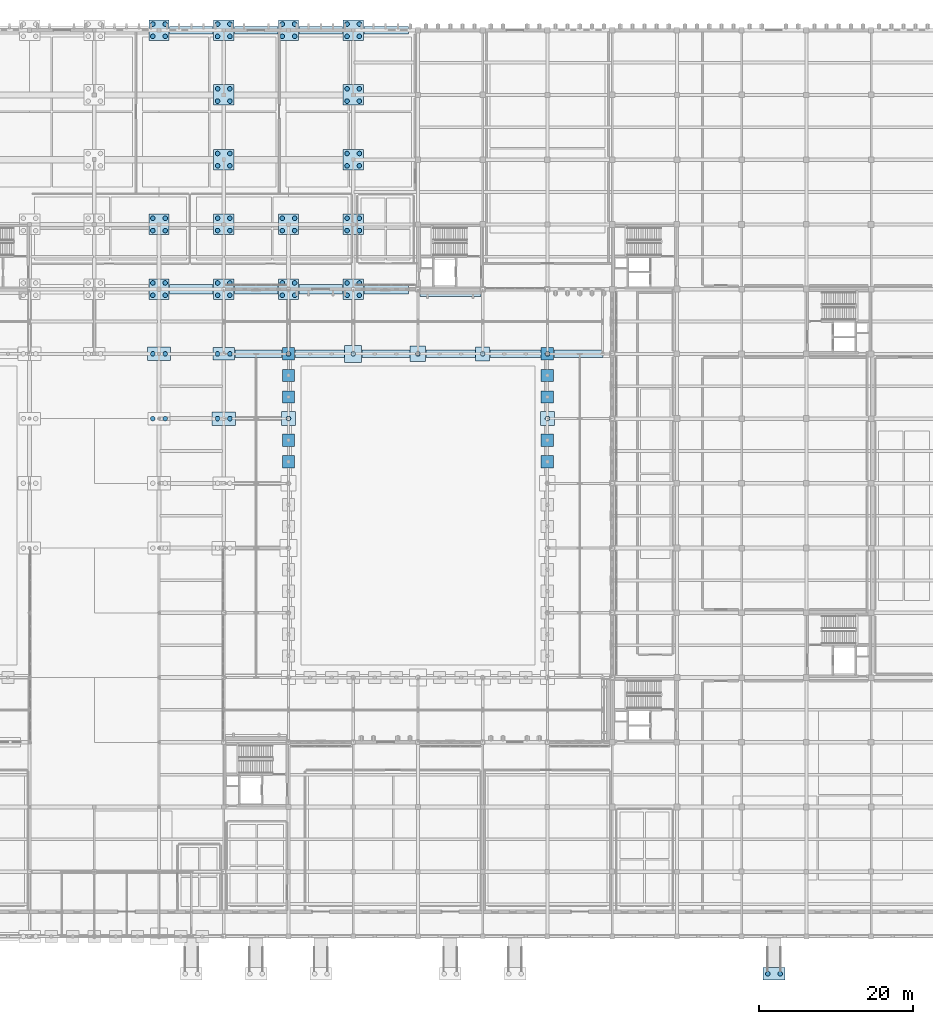
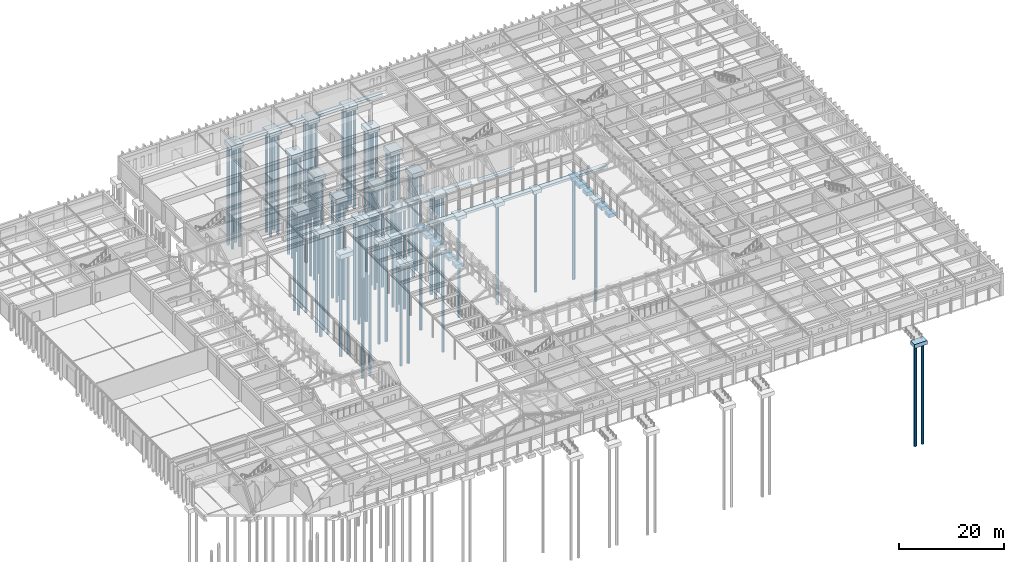
# One storey, part 3 of 143: 81 piles, 50 footings.
"""IFC4 building model written with IfcOpenShell, lengths in metres."""

from ifc_helpers import new_model, si_unit, direction, frame, origin, origin_2d, place, context, subcontext, project, spatial, polyline, rectangle, circle, outline, extrude, material, material_profile, profile_set, type_object, element, save


model = new_model("IFC4")

# Units and contexts
model_context = context("Model", 3, precision=1e-05, world=origin(), true_north=direction((0.0, 1.0)))
body_context = subcontext(model_context, "Body", "Model", "MODEL_VIEW")
ifc_project = project(units=[si_unit("LENGTHUNIT", "METRE"), si_unit("AREAUNIT", "SQUARE_METRE"), si_unit("VOLUMEUNIT", "CUBIC_METRE"), si_unit("PLANEANGLEUNIT", "RADIAN"), si_unit("MASSUNIT", "GRAM", prefix="KILO")], contexts=[model_context])

# Site, building, storey
site_placement = place(None, origin())
site = spatial("IfcSite", under=ifc_project, at=site_placement, CompositionType="ELEMENT")
building_placement = place(site_placement, origin())
building = spatial("IfcBuilding", under=site, at=building_placement, Name="Kveldsbrygga Polytechnic", CompositionType="ELEMENT")
storey_placement = place(building_placement, origin())
storey = spatial("IfcBuildingStorey", under=building, at=storey_placement, Name="L00", CompositionType="ELEMENT", Elevation=0.0)

# Footings
ifc_material_1 = material(Name="Concrete C45/55", Category="concrete")
footing_type_1 = type_object("IfcFootingType", Name="PC-2P-LIGHT", PredefinedType="PILE_CAP", material=ifc_material_1)
footing_1_placement = place(storey_placement, frame((75.60009765625, 75.60009765625, -1.320068359375), z_axis=(0.0, 0.0, 1.0), x_axis=(1.0, 0.0, 0.0)))
element("IfcFooting", 1, at=footing_1_placement, inside=storey, type_object=footing_type_1, Name="Foundation FND-09-09", PredefinedType="PILE_CAP", context=body_context, shape_type="SweptSolid", body=[
    extrude(rectangle(XDim=2.800048828125, YDim=1.60009765625, at=origin_2d()), origin(), (0.0, 0.0, 1.0), 1.0),
])
footing_2_placement = place(storey_placement, frame((147.0, -4.85009765625, -1.179931640625), z_axis=(0.0, 0.0, 1.0), x_axis=(1.0, 0.0, 0.0)))
element("IfcFooting", 2, at=footing_2_placement, inside=storey, type_object=footing_type_1, Name="Ramp Pile Cap RMP-06-FND-BOT", PredefinedType="PILE_CAP", context=body_context, shape_type="SweptSolid", body=[
    extrude(rectangle(XDim=2.800048828125, YDim=1.60009765625, at=origin_2d()), origin(), (0.0, 0.0, 1.0), 0.89990234375),
])
footing_type_2 = type_object("IfcFootingType", Name="PC-2P-MED", PredefinedType="PILE_CAP", material=ifc_material_1)
for number, where, z_axis, x_axis, name in (
    (3, (67.199951171875, 75.60009765625, -1.3701171875), (0.0, 0.0, 1.0), (1.0, 0.0, 0.0), "Foundation FND-08-09"),
    (4, (75.60009765625, 67.199951171875, -1.3701171875), (0.0, 0.0, 1.0), (1.0, 0.0, 0.0), "Foundation FND-09-08"),
):
    element("IfcFooting", number, at=place(storey_placement, frame(where, z_axis=z_axis, x_axis=x_axis)), inside=storey, type_object=footing_type_2, Name=name, PredefinedType="PILE_CAP", context=body_context, shape_type="SweptSolid", body=[
        extrude(rectangle(XDim=3.0, YDim=1.75, at=origin_2d()), origin(), (0.0, 0.0, 1.0), 1.050048828125),
    ])
footing_type_3 = type_object("IfcFootingType", Name="PC-4P-CMP", PredefinedType="PILE_CAP", material=ifc_material_1)
for number, where, z_axis, x_axis, name in (
    (5, (67.199951171875, 84.0, -1.3701171875), (0.0, 0.0, 1.0), (1.0, 0.0, 0.0), "Foundation FND-08-10"),
    (6, (67.199951171875, 92.39990234375, -1.3701171875), (0.0, 0.0, 1.0), (1.0, 0.0, 0.0), "Foundation FND-08-11"),
    (7, (67.199951171875, 117.60009765625, -1.3701171875), (0.0, 0.0, 1.0), (1.0, 0.0, 0.0), "Foundation FND-08-14"),
    (8, (75.60009765625, 84.0, -1.3701171875), (0.0, 0.0, 1.0), (1.0, 0.0, 0.0), "Foundation FND-09-10"),
    (9, (75.60009765625, 92.39990234375, -1.3701171875), (0.0, 0.0, 1.0), (1.0, 0.0, 0.0), "Foundation FND-09-11"),
    (10, (75.60009765625, 100.800048828125, -1.3701171875), (0.0, 0.0, 1.0), (1.0, 0.0, 0.0), "Foundation FND-09-12"),
    (11, (75.60009765625, 109.199951171875, -1.3701171875), (0.0, 0.0, 1.0), (1.0, 0.0, 0.0), "Foundation FND-09-13"),
    (12, (75.60009765625, 117.60009765625, -1.3701171875), (0.0, 0.0, 1.0), (1.0, 0.0, 0.0), "Foundation FND-09-14"),
    (13, (84.0, 84.0, -1.3701171875), (0.0, 0.0, 1.0), (1.0, 0.0, 0.0), "Foundation FND-10-10"),
    (14, (84.0, 92.39990234375, -1.3701171875), (0.0, 0.0, 1.0), (1.0, 0.0, 0.0), "Foundation FND-10-11"),
    (15, (84.0, 117.60009765625, -1.3701171875), (0.0, 0.0, 1.0), (1.0, 0.0, 0.0), "Foundation FND-10-14"),
    (16, (92.39990234375, 84.0, -1.3701171875), (0.0, 0.0, 1.0), (1.0, 0.0, 0.0), "Foundation FND-11-10"),
    (17, (92.39990234375, 92.39990234375, -1.3701171875), (0.0, 0.0, 1.0), (1.0, 0.0, 0.0), "Foundation FND-11-11"),
    (18, (92.39990234375, 100.800048828125, -1.3701171875), (0.0, 0.0, 1.0), (1.0, 0.0, 0.0), "Foundation FND-11-12"),
    (19, (92.39990234375, 109.199951171875, -1.3701171875), (0.0, 0.0, 1.0), (1.0, 0.0, 0.0), "Foundation FND-11-13"),
    (20, (92.39990234375, 117.60009765625, -1.3701171875), (0.0, 0.0, 1.0), (1.0, 0.0, 0.0), "Foundation FND-11-14"),
):
    element("IfcFooting", number, at=place(storey_placement, frame(where, z_axis=z_axis, x_axis=x_axis)), inside=storey, type_object=footing_type_3, Name=name, PredefinedType="PILE_CAP", context=body_context, shape_type="SweptSolid", body=[
        extrude(rectangle(XDim=2.64990234375, YDim=2.64990234375, at=origin_2d()), origin(), (0.0, 0.0, 1.0), 1.050048828125),
    ])
ifc_material_2 = material(Name="Concrete C35/45", Category="concrete")
footing_type_4 = type_object("IfcFootingType", Name="PF-ARCADE-A", PredefinedType="PAD_FOOTING", material=ifc_material_2)
footing_3_placement = place(storey_placement, frame((92.39990234375, 75.60009765625, -1.1201171875), z_axis=(0.0, 0.0, 1.0), x_axis=(1.0, 0.0, 0.0)))
element("IfcFooting", 21, at=footing_3_placement, inside=storey, type_object=footing_type_4, Name="Foundation FND-11-09", PredefinedType="PAD_FOOTING", context=body_context, shape_type="SweptSolid", body=[
    extrude(rectangle(XDim=2.199951171875, YDim=2.199951171875, at=origin_2d()), origin(), (0.0, 0.0, 1.0), 0.800048828125),
])
footing_type_5 = type_object("IfcFootingType", Name="PF-ARCADE-B", PredefinedType="PAD_FOOTING", material=ifc_material_2)
for number, where, z_axis, x_axis, name in (
    (22, (84.0, 67.199951171875, -1.170166015625), (0.0, 0.0, 1.0), (1.0, 0.0, 0.0), "Foundation FND-10-08"),
    (23, (109.199951171875, 75.60009765625, -1.170166015625), (0.0, 0.0, 1.0), (1.0, 0.0, 0.0), "Foundation FND-13-09"),
    (24, (117.60009765625, 67.199951171875, -1.170166015625), (0.0, 0.0, 1.0), (1.0, 0.0, 0.0), "Foundation FND-14-08"),
):
    element("IfcFooting", number, at=place(storey_placement, frame(where, z_axis=z_axis, x_axis=x_axis)), inside=storey, type_object=footing_type_5, Name=name, PredefinedType="PAD_FOOTING", context=body_context, shape_type="SweptSolid", body=[
        extrude(rectangle(XDim=1.800048828125, YDim=1.800048828125, at=origin_2d()), origin(), (0.0, 0.0, 1.0), 0.85009765625),
    ])
footing_type_6 = type_object("IfcFootingType", Name="PF-ARCADE-C", PredefinedType="PAD_FOOTING", material=ifc_material_2)
footing_4_placement = place(storey_placement, frame((100.800048828125, 75.60009765625, -1.219970703125), z_axis=(0.0, 0.0, 1.0), x_axis=(1.0, 0.0, 0.0)))
element("IfcFooting", 25, at=footing_4_placement, inside=storey, type_object=footing_type_6, Name="Foundation FND-12-09", PredefinedType="PAD_FOOTING", context=body_context, shape_type="SweptSolid", body=[
    extrude(rectangle(XDim=2.0, YDim=2.0, at=origin_2d()), origin(), (0.0, 0.0, 1.0), 0.89990234375),
])
footing_type_7 = type_object("IfcFootingType", Name="PF-ARCADE-D", PredefinedType="PAD_FOOTING", material=ifc_material_2)
for number, where, z_axis, x_axis, name in (
    (26, (84.0, 75.60009765625, -1.14013671875), (0.0, 0.0, 1.0), (1.0, 0.0, 0.0), "Foundation FND-10-09"),
    (27, (117.60009765625, 75.60009765625, -1.14013671875), (0.0, 0.0, 1.0), (1.0, 0.0, 0.0), "Foundation FND-14-09"),
    (28, (84.0, 61.60009765625, -1.14013671875), (0.0, 0.0, 1.0), (1.0, 0.0, 0.0), "Arcade Pier Footing FND-ARC-083"),
    (29, (84.0, 64.39990234375, -1.14013671875), (0.0, 0.0, 1.0), (1.0, 0.0, 0.0), "Arcade Pier Footing FND-ARC-084"),
    (30, (117.60009765625, 61.60009765625, -1.14013671875), (0.0, 0.0, 1.0), (1.0, 0.0, 0.0), "Arcade Pier Footing FND-ARC-085"),
    (31, (117.60009765625, 64.39990234375, -1.14013671875), (0.0, 0.0, 1.0), (1.0, 0.0, 0.0), "Arcade Pier Footing FND-ARC-086"),
    (32, (84.0, 70.0, -1.14013671875), (0.0, 0.0, 1.0), (1.0, 0.0, 0.0), "Arcade Pier Footing FND-ARC-087"),
    (33, (84.0, 72.800048828125, -1.14013671875), (0.0, 0.0, 1.0), (1.0, 0.0, 0.0), "Arcade Pier Footing FND-ARC-088"),
    (34, (117.60009765625, 70.0, -1.14013671875), (0.0, 0.0, 1.0), (1.0, 0.0, 0.0), "Arcade Pier Footing FND-ARC-089"),
    (35, (117.60009765625, 72.800048828125, -1.14013671875), (0.0, 0.0, 1.0), (1.0, 0.0, 0.0), "Arcade Pier Footing FND-ARC-090"),
):
    element("IfcFooting", number, at=place(storey_placement, frame(where, z_axis=z_axis, x_axis=x_axis)), inside=storey, type_object=footing_type_7, Name=name, PredefinedType="PAD_FOOTING", context=body_context, shape_type="SweptSolid", body=[
        extrude(rectangle(XDim=1.60009765625, YDim=1.60009765625, at=origin_2d()), origin(), (0.0, 0.0, 1.0), 0.820068359375),
    ])

# Piles
ifc_material_profile = material_profile(ifc_material_1, circle(Radius=0.300048828125, at=origin_2d()), Name="PILE D600")
ifc_profile_set = profile_set([ifc_material_profile], Name="Concrete C45/55")
pile_type = type_object("IfcPileType", Name="PILE-D600", PredefinedType="BORED", material=ifc_profile_set)
for number, where, z_axis, x_axis, name in (
    (36, (66.39990234375, 67.199951171875, -1.169921875), (0.0, 0.0, -1.0), (1.0, 0.0, 0.0), "Bored Pile PIL-08-08-1"),
    (37, (68.0, 67.199951171875, -1.169921875), (0.0, 0.0, -1.0), (1.0, 0.0, 0.0), "Bored Pile PIL-08-08-2"),
):
    element("IfcPile", number, at=place(storey_placement, frame(where, z_axis=z_axis, x_axis=x_axis)), inside=storey, type_object=pile_type, Name=name, PredefinedType="BORED", context=body_context, shape_type="SweptSolid", body=[
        extrude(circle(Radius=0.300048828125, at=origin_2d()), origin(), (0.0, 0.0, 1.0), 23.330078125),
    ])
for number, where, z_axis, x_axis, name in (
    (38, (66.39990234375, 75.60009765625, -1.219970703125), (0.0, 0.0, -1.0), (1.0, 0.0, 0.0), "Bored Pile PIL-08-09-1"),
    (39, (68.0, 75.60009765625, -1.219970703125), (0.0, 0.0, -1.0), (1.0, 0.0, 0.0), "Bored Pile PIL-08-09-2"),
    (40, (66.39990234375, 83.199951171875, -1.219970703125), (0.0, 0.0, -1.0), (1.0, 0.0, 0.0), "Bored Pile PIL-08-10-1"),
    (41, (68.0, 83.199951171875, -1.219970703125), (0.0, 0.0, -1.0), (1.0, 0.0, 0.0), "Bored Pile PIL-08-10-2"),
    (42, (66.39990234375, 84.800048828125, -1.219970703125), (0.0, 0.0, -1.0), (1.0, 0.0, 0.0), "Bored Pile PIL-08-10-3"),
    (43, (68.0, 84.800048828125, -1.219970703125), (0.0, 0.0, -1.0), (1.0, 0.0, 0.0), "Bored Pile PIL-08-10-4"),
    (44, (66.39990234375, 91.60009765625, -1.219970703125), (0.0, 0.0, -1.0), (1.0, 0.0, 0.0), "Bored Pile PIL-08-11-1"),
    (45, (68.0, 91.60009765625, -1.219970703125), (0.0, 0.0, -1.0), (1.0, 0.0, 0.0), "Bored Pile PIL-08-11-2"),
    (46, (66.39990234375, 93.199951171875, -1.219970703125), (0.0, 0.0, -1.0), (1.0, 0.0, 0.0), "Bored Pile PIL-08-11-3"),
    (47, (68.0, 93.199951171875, -1.219970703125), (0.0, 0.0, -1.0), (1.0, 0.0, 0.0), "Bored Pile PIL-08-11-4"),
    (48, (66.39990234375, 116.800048828125, -1.219970703125), (0.0, 0.0, -1.0), (1.0, 0.0, 0.0), "Bored Pile PIL-08-14-1"),
    (49, (68.0, 116.800048828125, -1.219970703125), (0.0, 0.0, -1.0), (1.0, 0.0, 0.0), "Bored Pile PIL-08-14-2"),
    (50, (66.39990234375, 118.39990234375, -1.219970703125), (0.0, 0.0, -1.0), (1.0, 0.0, 0.0), "Bored Pile PIL-08-14-3"),
    (51, (68.0, 118.39990234375, -1.219970703125), (0.0, 0.0, -1.0), (1.0, 0.0, 0.0), "Bored Pile PIL-08-14-4"),
    (52, (74.800048828125, 67.199951171875, -1.219970703125), (0.0, 0.0, -1.0), (1.0, 0.0, 0.0), "Bored Pile PIL-09-08-1"),
    (53, (76.39990234375, 67.199951171875, -1.219970703125), (0.0, 0.0, -1.0), (1.0, 0.0, 0.0), "Bored Pile PIL-09-08-2"),
):
    element("IfcPile", number, at=place(storey_placement, frame(where, z_axis=z_axis, x_axis=x_axis)), inside=storey, type_object=pile_type, Name=name, PredefinedType="BORED", context=body_context, shape_type="SweptSolid", body=[
        extrude(circle(Radius=0.300048828125, at=origin_2d()), origin(), (0.0, 0.0, 1.0), 23.280029296875),
    ])
for number, where, z_axis, x_axis, name in (
    (54, (74.800048828125, 75.60009765625, -1.169921875), (0.0, 0.0, -1.0), (1.0, 0.0, 0.0), "Bored Pile PIL-09-09-1"),
    (55, (76.39990234375, 75.60009765625, -1.169921875), (0.0, 0.0, -1.0), (1.0, 0.0, 0.0), "Bored Pile PIL-09-09-2"),
):
    element("IfcPile", number, at=place(storey_placement, frame(where, z_axis=z_axis, x_axis=x_axis)), inside=storey, type_object=pile_type, Name=name, PredefinedType="BORED", context=body_context, shape_type="SweptSolid", body=[
        extrude(circle(Radius=0.300048828125, at=origin_2d()), origin(), (0.0, 0.0, 1.0), 23.330078125),
    ])
for number, where, z_axis, x_axis, name in (
    (56, (74.800048828125, 83.199951171875, -1.219970703125), (0.0, 0.0, -1.0), (1.0, 0.0, 0.0), "Bored Pile PIL-09-10-1"),
    (57, (76.39990234375, 83.199951171875, -1.219970703125), (0.0, 0.0, -1.0), (1.0, 0.0, 0.0), "Bored Pile PIL-09-10-2"),
    (58, (74.800048828125, 84.800048828125, -1.219970703125), (0.0, 0.0, -1.0), (1.0, 0.0, 0.0), "Bored Pile PIL-09-10-3"),
    (59, (76.39990234375, 84.800048828125, -1.219970703125), (0.0, 0.0, -1.0), (1.0, 0.0, 0.0), "Bored Pile PIL-09-10-4"),
    (60, (74.800048828125, 91.60009765625, -1.219970703125), (0.0, 0.0, -1.0), (1.0, 0.0, 0.0), "Bored Pile PIL-09-11-1"),
    (61, (76.39990234375, 91.60009765625, -1.219970703125), (0.0, 0.0, -1.0), (1.0, 0.0, 0.0), "Bored Pile PIL-09-11-2"),
    (62, (74.800048828125, 93.199951171875, -1.219970703125), (0.0, 0.0, -1.0), (1.0, 0.0, 0.0), "Bored Pile PIL-09-11-3"),
    (63, (76.39990234375, 93.199951171875, -1.219970703125), (0.0, 0.0, -1.0), (1.0, 0.0, 0.0), "Bored Pile PIL-09-11-4"),
    (64, (74.800048828125, 100.0, -1.219970703125), (0.0, 0.0, -1.0), (1.0, 0.0, 0.0), "Bored Pile PIL-09-12-1"),
    (65, (76.39990234375, 100.0, -1.219970703125), (0.0, 0.0, -1.0), (1.0, 0.0, 0.0), "Bored Pile PIL-09-12-2"),
    (66, (74.800048828125, 101.60009765625, -1.219970703125), (0.0, 0.0, -1.0), (1.0, 0.0, 0.0), "Bored Pile PIL-09-12-3"),
    (67, (76.39990234375, 101.60009765625, -1.219970703125), (0.0, 0.0, -1.0), (1.0, 0.0, 0.0), "Bored Pile PIL-09-12-4"),
    (68, (74.800048828125, 108.39990234375, -1.219970703125), (0.0, 0.0, -1.0), (1.0, 0.0, 0.0), "Bored Pile PIL-09-13-1"),
    (69, (76.39990234375, 108.39990234375, -1.219970703125), (0.0, 0.0, -1.0), (1.0, 0.0, 0.0), "Bored Pile PIL-09-13-2"),
    (70, (74.800048828125, 110.0, -1.219970703125), (0.0, 0.0, -1.0), (1.0, 0.0, 0.0), "Bored Pile PIL-09-13-3"),
    (71, (76.39990234375, 110.0, -1.219970703125), (0.0, 0.0, -1.0), (1.0, 0.0, 0.0), "Bored Pile PIL-09-13-4"),
    (72, (74.800048828125, 116.800048828125, -1.219970703125), (0.0, 0.0, -1.0), (1.0, 0.0, 0.0), "Bored Pile PIL-09-14-1"),
    (73, (76.39990234375, 116.800048828125, -1.219970703125), (0.0, 0.0, -1.0), (1.0, 0.0, 0.0), "Bored Pile PIL-09-14-2"),
    (74, (74.800048828125, 118.39990234375, -1.219970703125), (0.0, 0.0, -1.0), (1.0, 0.0, 0.0), "Bored Pile PIL-09-14-3"),
    (75, (76.39990234375, 118.39990234375, -1.219970703125), (0.0, 0.0, -1.0), (1.0, 0.0, 0.0), "Bored Pile PIL-09-14-4"),
):
    element("IfcPile", number, at=place(storey_placement, frame(where, z_axis=z_axis, x_axis=x_axis)), inside=storey, type_object=pile_type, Name=name, PredefinedType="BORED", context=body_context, shape_type="SweptSolid", body=[
        extrude(circle(Radius=0.300048828125, at=origin_2d()), origin(), (0.0, 0.0, 1.0), 23.280029296875),
    ])
pile_1_placement = place(storey_placement, frame((84.0, 67.199951171875, -1.02001953125), z_axis=(0.0, 0.0, -1.0), x_axis=(1.0, 0.0, 0.0)))
element("IfcPile", 76, at=pile_1_placement, inside=storey, type_object=pile_type, Name="Bored Pile PIL-10-08-1", PredefinedType="BORED", context=body_context, shape_type="SweptSolid", body=[
    extrude(circle(Radius=0.300048828125, at=origin_2d()), origin(), (0.0, 0.0, 1.0), 23.47998046875),
])
pile_2_placement = place(storey_placement, frame((84.0, 75.60009765625, -0.989990234375), z_axis=(0.0, 0.0, -1.0), x_axis=(1.0, 0.0, 0.0)))
element("IfcPile", 77, at=pile_2_placement, inside=storey, type_object=pile_type, Name="Bored Pile PIL-10-09-1", PredefinedType="BORED", context=body_context, shape_type="SweptSolid", body=[
    extrude(circle(Radius=0.300048828125, at=origin_2d()), origin(), (0.0, 0.0, 1.0), 23.510009765625),
])
for number, where, z_axis, x_axis, name in (
    (78, (83.199951171875, 83.199951171875, -1.219970703125), (0.0, 0.0, -1.0), (1.0, 0.0, 0.0), "Bored Pile PIL-10-10-1"),
    (79, (84.800048828125, 83.199951171875, -1.219970703125), (0.0, 0.0, -1.0), (1.0, 0.0, 0.0), "Bored Pile PIL-10-10-2"),
    (80, (83.199951171875, 84.800048828125, -1.219970703125), (0.0, 0.0, -1.0), (1.0, 0.0, 0.0), "Bored Pile PIL-10-10-3"),
    (81, (84.800048828125, 84.800048828125, -1.219970703125), (0.0, 0.0, -1.0), (1.0, 0.0, 0.0), "Bored Pile PIL-10-10-4"),
    (82, (83.199951171875, 91.60009765625, -1.219970703125), (0.0, 0.0, -1.0), (1.0, 0.0, 0.0), "Bored Pile PIL-10-11-1"),
    (83, (84.800048828125, 91.60009765625, -1.219970703125), (0.0, 0.0, -1.0), (1.0, 0.0, 0.0), "Bored Pile PIL-10-11-2"),
    (84, (83.199951171875, 93.199951171875, -1.219970703125), (0.0, 0.0, -1.0), (1.0, 0.0, 0.0), "Bored Pile PIL-10-11-3"),
    (85, (84.800048828125, 93.199951171875, -1.219970703125), (0.0, 0.0, -1.0), (1.0, 0.0, 0.0), "Bored Pile PIL-10-11-4"),
    (86, (83.199951171875, 116.800048828125, -1.219970703125), (0.0, 0.0, -1.0), (1.0, 0.0, 0.0), "Bored Pile PIL-10-14-1"),
    (87, (84.800048828125, 116.800048828125, -1.219970703125), (0.0, 0.0, -1.0), (1.0, 0.0, 0.0), "Bored Pile PIL-10-14-2"),
    (88, (83.199951171875, 118.39990234375, -1.219970703125), (0.0, 0.0, -1.0), (1.0, 0.0, 0.0), "Bored Pile PIL-10-14-3"),
    (89, (84.800048828125, 118.39990234375, -1.219970703125), (0.0, 0.0, -1.0), (1.0, 0.0, 0.0), "Bored Pile PIL-10-14-4"),
):
    element("IfcPile", number, at=place(storey_placement, frame(where, z_axis=z_axis, x_axis=x_axis)), inside=storey, type_object=pile_type, Name=name, PredefinedType="BORED", context=body_context, shape_type="SweptSolid", body=[
        extrude(circle(Radius=0.300048828125, at=origin_2d()), origin(), (0.0, 0.0, 1.0), 23.280029296875),
    ])
pile_3_placement = place(storey_placement, frame((92.39990234375, 75.60009765625, -0.969970703125), z_axis=(0.0, 0.0, -1.0), x_axis=(1.0, 0.0, 0.0)))
element("IfcPile", 90, at=pile_3_placement, inside=storey, type_object=pile_type, Name="Bored Pile PIL-11-09-1", PredefinedType="BORED", context=body_context, shape_type="SweptSolid", body=[
    extrude(circle(Radius=0.300048828125, at=origin_2d()), origin(), (0.0, 0.0, 1.0), 23.530029296875),
])
for number, where, z_axis, x_axis, name in (
    (91, (91.60009765625, 83.199951171875, -1.219970703125), (0.0, 0.0, -1.0), (1.0, 0.0, 0.0), "Bored Pile PIL-11-10-1"),
    (92, (93.199951171875, 83.199951171875, -1.219970703125), (0.0, 0.0, -1.0), (1.0, 0.0, 0.0), "Bored Pile PIL-11-10-2"),
    (93, (91.60009765625, 84.800048828125, -1.219970703125), (0.0, 0.0, -1.0), (1.0, 0.0, 0.0), "Bored Pile PIL-11-10-3"),
    (94, (93.199951171875, 84.800048828125, -1.219970703125), (0.0, 0.0, -1.0), (1.0, 0.0, 0.0), "Bored Pile PIL-11-10-4"),
    (95, (91.60009765625, 91.60009765625, -1.219970703125), (0.0, 0.0, -1.0), (1.0, 0.0, 0.0), "Bored Pile PIL-11-11-1"),
    (96, (93.199951171875, 91.60009765625, -1.219970703125), (0.0, 0.0, -1.0), (1.0, 0.0, 0.0), "Bored Pile PIL-11-11-2"),
    (97, (91.60009765625, 93.199951171875, -1.219970703125), (0.0, 0.0, -1.0), (1.0, 0.0, 0.0), "Bored Pile PIL-11-11-3"),
    (98, (93.199951171875, 93.199951171875, -1.219970703125), (0.0, 0.0, -1.0), (1.0, 0.0, 0.0), "Bored Pile PIL-11-11-4"),
    (99, (91.60009765625, 100.0, -1.219970703125), (0.0, 0.0, -1.0), (1.0, 0.0, 0.0), "Bored Pile PIL-11-12-1"),
    (100, (93.199951171875, 100.0, -1.219970703125), (0.0, 0.0, -1.0), (1.0, 0.0, 0.0), "Bored Pile PIL-11-12-2"),
    (101, (91.60009765625, 101.60009765625, -1.219970703125), (0.0, 0.0, -1.0), (1.0, 0.0, 0.0), "Bored Pile PIL-11-12-3"),
    (102, (93.199951171875, 101.60009765625, -1.219970703125), (0.0, 0.0, -1.0), (1.0, 0.0, 0.0), "Bored Pile PIL-11-12-4"),
    (103, (91.60009765625, 108.39990234375, -1.219970703125), (0.0, 0.0, -1.0), (1.0, 0.0, 0.0), "Bored Pile PIL-11-13-1"),
    (104, (93.199951171875, 108.39990234375, -1.219970703125), (0.0, 0.0, -1.0), (1.0, 0.0, 0.0), "Bored Pile PIL-11-13-2"),
    (105, (91.60009765625, 110.0, -1.219970703125), (0.0, 0.0, -1.0), (1.0, 0.0, 0.0), "Bored Pile PIL-11-13-3"),
    (106, (93.199951171875, 110.0, -1.219970703125), (0.0, 0.0, -1.0), (1.0, 0.0, 0.0), "Bored Pile PIL-11-13-4"),
    (107, (91.60009765625, 116.800048828125, -1.219970703125), (0.0, 0.0, -1.0), (1.0, 0.0, 0.0), "Bored Pile PIL-11-14-1"),
    (108, (93.199951171875, 116.800048828125, -1.219970703125), (0.0, 0.0, -1.0), (1.0, 0.0, 0.0), "Bored Pile PIL-11-14-2"),
    (109, (91.60009765625, 118.39990234375, -1.219970703125), (0.0, 0.0, -1.0), (1.0, 0.0, 0.0), "Bored Pile PIL-11-14-3"),
    (110, (93.199951171875, 118.39990234375, -1.219970703125), (0.0, 0.0, -1.0), (1.0, 0.0, 0.0), "Bored Pile PIL-11-14-4"),
):
    element("IfcPile", number, at=place(storey_placement, frame(where, z_axis=z_axis, x_axis=x_axis)), inside=storey, type_object=pile_type, Name=name, PredefinedType="BORED", context=body_context, shape_type="SweptSolid", body=[
        extrude(circle(Radius=0.300048828125, at=origin_2d()), origin(), (0.0, 0.0, 1.0), 23.280029296875),
    ])
pile_4_placement = place(storey_placement, frame((100.800048828125, 75.60009765625, -1.070068359375), z_axis=(0.0, 0.0, -1.0), x_axis=(1.0, 0.0, 0.0)))
element("IfcPile", 111, at=pile_4_placement, inside=storey, type_object=pile_type, Name="Bored Pile PIL-12-09-1", PredefinedType="BORED", context=body_context, shape_type="SweptSolid", body=[
    extrude(circle(Radius=0.300048828125, at=origin_2d()), origin(), (0.0, 0.0, 1.0), 23.429931640625),
])
for number, where, z_axis, x_axis, name in (
    (112, (109.199951171875, 75.60009765625, -1.02001953125), (0.0, 0.0, -1.0), (1.0, 0.0, 0.0), "Bored Pile PIL-13-09-1"),
    (113, (117.60009765625, 67.199951171875, -1.02001953125), (0.0, 0.0, -1.0), (1.0, 0.0, 0.0), "Bored Pile PIL-14-08-1"),
):
    element("IfcPile", number, at=place(storey_placement, frame(where, z_axis=z_axis, x_axis=x_axis)), inside=storey, type_object=pile_type, Name=name, PredefinedType="BORED", context=body_context, shape_type="SweptSolid", body=[
        extrude(circle(Radius=0.300048828125, at=origin_2d()), origin(), (0.0, 0.0, 1.0), 23.47998046875),
    ])
pile_5_placement = place(storey_placement, frame((117.60009765625, 75.60009765625, -0.989990234375), z_axis=(0.0, 0.0, -1.0), x_axis=(1.0, 0.0, 0.0)))
element("IfcPile", 114, at=pile_5_placement, inside=storey, type_object=pile_type, Name="Bored Pile PIL-14-09-1", PredefinedType="BORED", context=body_context, shape_type="SweptSolid", body=[
    extrude(circle(Radius=0.300048828125, at=origin_2d()), origin(), (0.0, 0.0, 1.0), 23.510009765625),
])
for number, where, z_axis, x_axis, name in (
    (115, (146.199951171875, -4.85009765625, -1.050048828125), (0.0, 0.0, -1.0), (1.0, 0.0, 0.0), "Ramp Bored Pile RMP-06-PIL-BOT-1"),
    (116, (147.800048828125, -4.85009765625, -1.050048828125), (0.0, 0.0, -1.0), (1.0, 0.0, 0.0), "Ramp Bored Pile RMP-06-PIL-BOT-2"),
):
    element("IfcPile", number, at=place(storey_placement, frame(where, z_axis=z_axis, x_axis=x_axis)), inside=storey, type_object=pile_type, Name=name, PredefinedType="BORED", context=body_context, shape_type="SweptSolid", body=[
        extrude(circle(Radius=0.300048828125, at=origin_2d()), origin(), (0.0, 0.0, 1.0), 23.449951171875),
    ])

# Footings
footing_type_8 = type_object("IfcFootingType", Name="SF-PLINTH-850", PredefinedType="STRIP_FOOTING", material=ifc_material_2)
footing_5_placement = place(storey_placement, frame((0.0, 0.0, -0.800048828125)))
element("IfcFooting", 117, at=footing_5_placement, inside=storey, type_object=footing_type_8, Name="Bastion Strip Footing FND-BAST-L00-X-12-10", PredefinedType="STRIP_FOOTING", context=body_context, shape_type="SweptSolid", body=[
    extrude(outline(polyline([(101.0400390625, 83.02001953125), (108.9599609375, 83.02001953125), (108.9599609375, 83.7451171875), (101.0400390625, 83.7451171875), (101.0400390625, 83.02001953125)])), origin(), (0.0, 0.0, 1.0), 0.550048828125),
])
footing_type_9 = type_object("IfcFootingType", Name="SF-WALL-A", PredefinedType="STRIP_FOOTING", material=ifc_material_2)
footing_6_placement = place(storey_placement, frame((0.0, 0.0, -0.969970703125)))
element("IfcFooting", 118, at=footing_6_placement, inside=storey, type_object=footing_type_9, Name="Strip Footing SF-E1-8", PredefinedType="STRIP_FOOTING", context=body_context, shape_type="SweptSolid", body=[
    extrude(outline(polyline([(68.574951171875, 83.39990234375), (74.22509765625, 83.39990234375), (74.22509765625, 84.60009765625), (68.574951171875, 84.60009765625), (68.574951171875, 83.39990234375)])), origin(), (0.0, 0.0, 1.0), 0.64990234375),
])
footing_7_placement = place(storey_placement, frame((0.0, 0.0, -0.969970703125)))
element("IfcFooting", 119, at=footing_7_placement, inside=storey, type_object=footing_type_9, Name="Strip Footing SF-E1-9", PredefinedType="STRIP_FOOTING", context=body_context, shape_type="SweptSolid", body=[
    extrude(outline(polyline([(76.97509765625, 83.39990234375), (82.625, 83.39990234375), (82.625, 84.60009765625), (76.97509765625, 84.60009765625), (76.97509765625, 83.39990234375)])), origin(), (0.0, 0.0, 1.0), 0.64990234375),
])
footing_8_placement = place(storey_placement, frame((0.0, 0.0, -0.969970703125)))
element("IfcFooting", 120, at=footing_8_placement, inside=storey, type_object=footing_type_9, Name="Strip Footing SF-E1-10", PredefinedType="STRIP_FOOTING", context=body_context, shape_type="SweptSolid", body=[
    extrude(outline(polyline([(85.375, 83.39990234375), (91.02490234375, 83.39990234375), (91.02490234375, 84.60009765625), (85.375, 84.60009765625), (85.375, 83.39990234375)])), origin(), (0.0, 0.0, 1.0), 0.64990234375),
])
footing_9_placement = place(storey_placement, frame((0.0, 0.0, -0.969970703125)))
element("IfcFooting", 121, at=footing_9_placement, inside=storey, type_object=footing_type_9, Name="Strip Footing SF-E1-11", PredefinedType="STRIP_FOOTING", context=body_context, shape_type="SweptSolid", body=[
    extrude(outline(polyline([(93.77490234375, 83.39990234375), (99.60009765625, 83.39990234375), (99.60009765625, 84.60009765625), (93.77490234375, 84.60009765625), (93.77490234375, 83.39990234375)])), origin(), (0.0, 0.0, 1.0), 0.64990234375),
])
footing_type_10 = type_object("IfcFootingType", Name="SF-WALL-B", PredefinedType="STRIP_FOOTING", material=ifc_material_2)
footing_10_placement = place(storey_placement, frame((0.0, 0.0, -0.8701171875)))
element("IfcFooting", 122, at=footing_10_placement, inside=storey, type_object=footing_type_10, Name="Strip Footing SF-E2-9", PredefinedType="STRIP_FOOTING", context=body_context, shape_type="SweptSolid", body=[
    extrude(outline(polyline([(77.050048828125, 75.10009765625), (83.14990234375, 75.10009765625), (83.14990234375, 76.10009765625), (77.050048828125, 76.10009765625), (77.050048828125, 75.10009765625)])), origin(), (0.0, 0.0, 1.0), 0.550048828125),
])
footing_11_placement = place(storey_placement, frame((0.0, 0.0, -0.8701171875)))
element("IfcFooting", 123, at=footing_11_placement, inside=storey, type_object=footing_type_10, Name="Strip Footing SF-E2-10", PredefinedType="STRIP_FOOTING", context=body_context, shape_type="SweptSolid", body=[
    extrude(outline(polyline([(84.85009765625, 75.10009765625), (91.25, 75.10009765625), (91.25, 76.10009765625), (84.85009765625, 76.10009765625), (84.85009765625, 75.10009765625)])), origin(), (0.0, 0.0, 1.0), 0.550048828125),
])
footing_12_placement = place(storey_placement, frame((0.0, 0.0, -0.8701171875)))
element("IfcFooting", 124, at=footing_12_placement, inside=storey, type_object=footing_type_10, Name="Strip Footing SF-E2-11", PredefinedType="STRIP_FOOTING", context=body_context, shape_type="SweptSolid", body=[
    extrude(outline(polyline([(93.550048828125, 75.10009765625), (99.75, 75.10009765625), (99.75, 76.10009765625), (93.550048828125, 76.10009765625), (93.550048828125, 75.10009765625)])), origin(), (0.0, 0.0, 1.0), 0.550048828125),
])
footing_13_placement = place(storey_placement, frame((0.0, 0.0, -0.8701171875)))
element("IfcFooting", 125, at=footing_13_placement, inside=storey, type_object=footing_type_10, Name="Strip Footing SF-E2-12", PredefinedType="STRIP_FOOTING", context=body_context, shape_type="SweptSolid", body=[
    extrude(outline(polyline([(101.85009765625, 75.10009765625), (108.25, 75.10009765625), (108.25, 76.10009765625), (101.85009765625, 76.10009765625), (101.85009765625, 75.10009765625)])), origin(), (0.0, 0.0, 1.0), 0.550048828125),
])
footing_14_placement = place(storey_placement, frame((0.0, 0.0, -0.8701171875)))
element("IfcFooting", 126, at=footing_14_placement, inside=storey, type_object=footing_type_10, Name="Strip Footing SF-E2-13", PredefinedType="STRIP_FOOTING", context=body_context, shape_type="SweptSolid", body=[
    extrude(outline(polyline([(110.14990234375, 75.10009765625), (116.75, 75.10009765625), (116.75, 76.10009765625), (110.14990234375, 76.10009765625), (110.14990234375, 75.10009765625)])), origin(), (0.0, 0.0, 1.0), 0.550048828125),
])
footing_15_placement = place(storey_placement, frame((0.0, 0.0, -0.8701171875)))
element("IfcFooting", 127, at=footing_15_placement, inside=storey, type_object=footing_type_10, Name="Strip Footing SF-E2-14", PredefinedType="STRIP_FOOTING", context=body_context, shape_type="SweptSolid", body=[
    extrude(outline(polyline([(118.449951171875, 75.10009765625), (124.800048828125, 75.10009765625), (124.800048828125, 76.10009765625), (118.449951171875, 76.10009765625), (118.449951171875, 75.10009765625)])), origin(), (0.0, 0.0, 1.0), 0.550048828125),
])
footing_16_placement = place(storey_placement, frame((0.0, 0.0, -0.8701171875)))
element("IfcFooting", 128, at=footing_16_placement, inside=storey, type_object=footing_type_10, Name="Strip Footing SF-N1-8", PredefinedType="STRIP_FOOTING", context=body_context, shape_type="SweptSolid", body=[
    extrude(outline(polyline([(68.574951171875, 117.10009765625), (74.22509765625, 117.10009765625), (74.22509765625, 118.10009765625), (68.574951171875, 118.10009765625), (68.574951171875, 117.10009765625)])), origin(), (0.0, 0.0, 1.0), 0.550048828125),
])
footing_17_placement = place(storey_placement, frame((0.0, 0.0, -0.8701171875)))
element("IfcFooting", 129, at=footing_17_placement, inside=storey, type_object=footing_type_10, Name="Strip Footing SF-N1-9", PredefinedType="STRIP_FOOTING", context=body_context, shape_type="SweptSolid", body=[
    extrude(outline(polyline([(76.97509765625, 117.10009765625), (82.625, 117.10009765625), (82.625, 118.10009765625), (76.97509765625, 118.10009765625), (76.97509765625, 117.10009765625)])), origin(), (0.0, 0.0, 1.0), 0.550048828125),
])
footing_18_placement = place(storey_placement, frame((0.0, 0.0, -0.8701171875)))
element("IfcFooting", 130, at=footing_18_placement, inside=storey, type_object=footing_type_10, Name="Strip Footing SF-N1-10", PredefinedType="STRIP_FOOTING", context=body_context, shape_type="SweptSolid", body=[
    extrude(outline(polyline([(85.375, 117.10009765625), (91.02490234375, 117.10009765625), (91.02490234375, 118.10009765625), (85.375, 118.10009765625), (85.375, 117.10009765625)])), origin(), (0.0, 0.0, 1.0), 0.550048828125),
])
footing_19_placement = place(storey_placement, frame((0.0, 0.0, -0.8701171875)))
element("IfcFooting", 131, at=footing_19_placement, inside=storey, type_object=footing_type_10, Name="Strip Footing SF-N1-11", PredefinedType="STRIP_FOOTING", context=body_context, shape_type="SweptSolid", body=[
    extrude(outline(polyline([(93.77490234375, 117.10009765625), (99.60009765625, 117.10009765625), (99.60009765625, 118.10009765625), (93.77490234375, 118.10009765625), (93.77490234375, 117.10009765625)])), origin(), (0.0, 0.0, 1.0), 0.550048828125),
])

save(model, "model.ifc")
